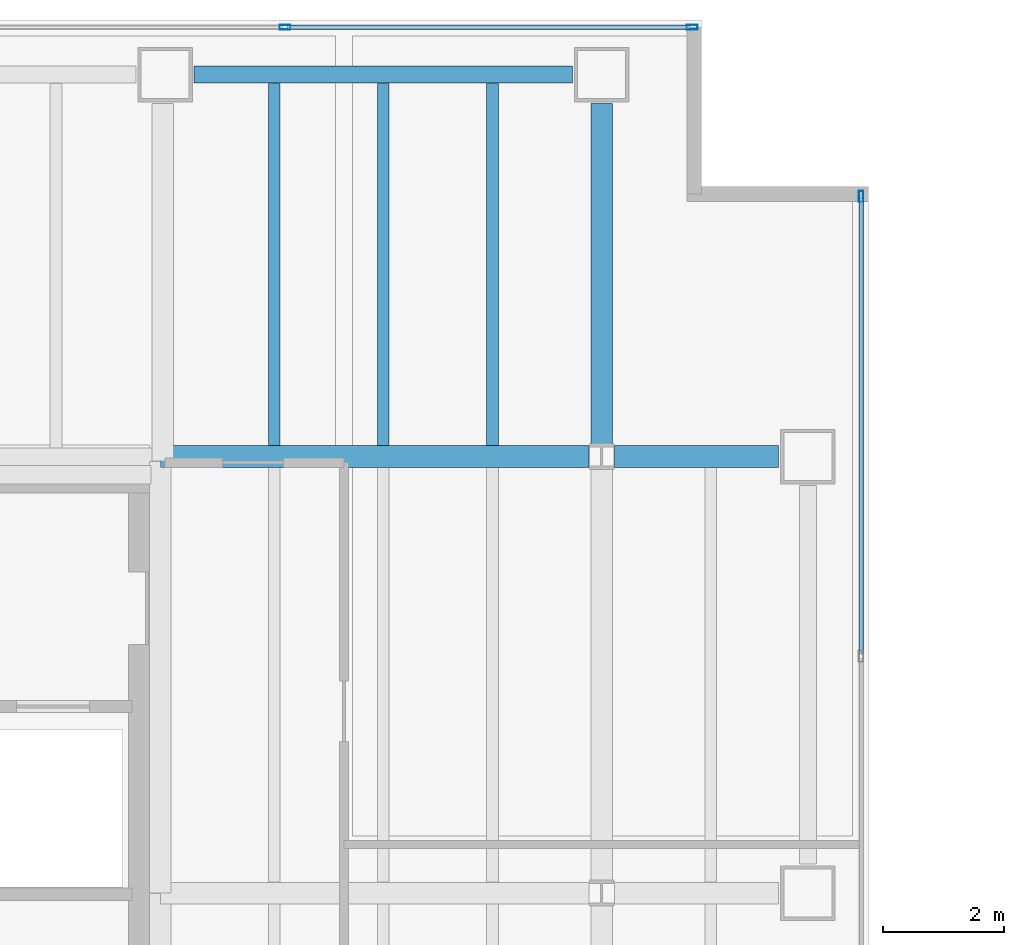
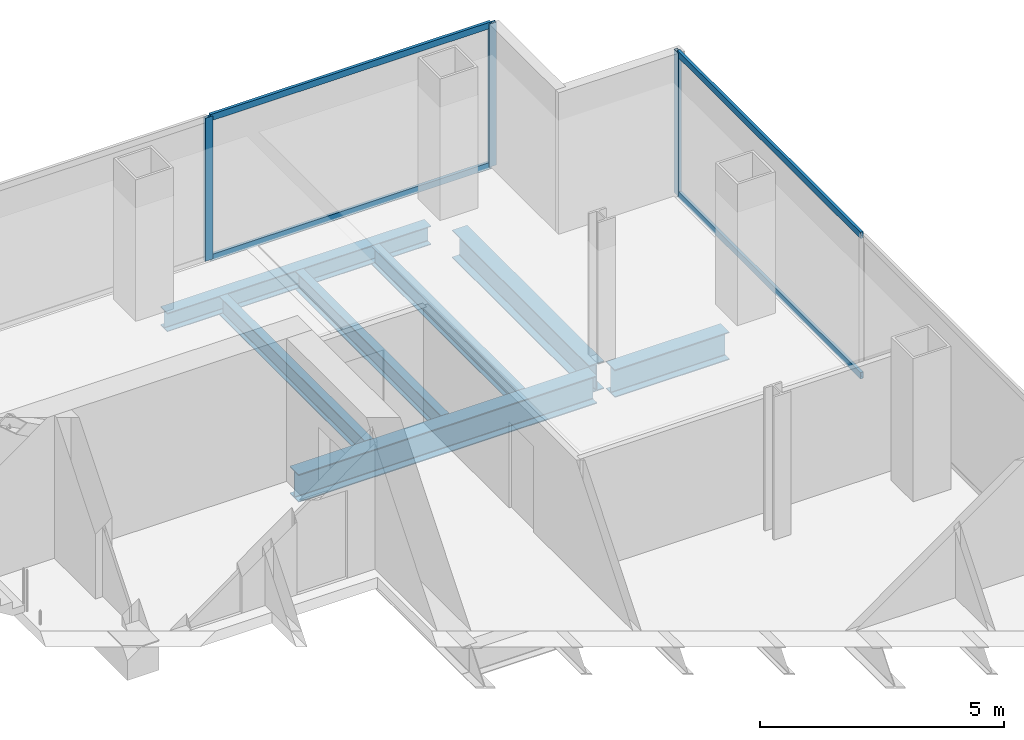
# One storey, part 18 of 23: 7 beams, 7 members, 2 elements without a shape of their own.
"""IFC4 building model written with IfcOpenShell, lengths in metres."""

from ifc_helpers import new_model, si_unit, direction, frame, origin, origin_2d, place, context, subcontext, project, spatial, hollow_rectangle, i_section, extrude, material, material_profile, profile_set, type_object, element, aggregate, save


model = new_model("IFC4")

# Units and contexts
model_context = context("Model", 3, precision=1e-05, world=origin(), true_north=direction((0.0, 1.0)))
body_context = subcontext(model_context, "Body", "Model", "MODEL_VIEW")
ifc_project = project(units=[si_unit("LENGTHUNIT", "METRE"), si_unit("AREAUNIT", "SQUARE_METRE"), si_unit("VOLUMEUNIT", "CUBIC_METRE"), si_unit("PLANEANGLEUNIT", "RADIAN"), si_unit("MASSUNIT", "GRAM", prefix="KILO")], contexts=[model_context])

# Site, building, storey
site_placement = place(None, origin())
site = spatial("IfcSite", under=ifc_project, at=site_placement, CompositionType="ELEMENT")
building_placement = place(site_placement, origin())
building = spatial("IfcBuilding", under=site, at=building_placement, Name="Cobrela Telecom Tower", CompositionType="ELEMENT")
storey_placement = place(building_placement, frame((0.0, 0.0, 117.60009765625)))
storey = spatial("IfcBuildingStorey", under=building, at=storey_placement, Name="L29", CompositionType="ELEMENT", Elevation=117.60009765625)

# Beams
ifc_material_1 = material(Name="Steel ASTM A992 Grade 50", Category="steel")
ifc_material_profile_1 = material_profile(ifc_material_1, i_section(OverallWidth=0.35595703125, OverallDepth=0.696044921875, WebThickness=0.015380859375, FlangeThickness=0.024658203125, FilletRadius=0.01806640625, at=origin_2d()), Name="W27X146")
ifc_profile_set_1 = profile_set([ifc_material_profile_1], Name="Steel ASTM A992 Grade 50")
beam_type_1 = type_object("IfcBeamType", Name="BM-GIRD-05", PredefinedType="USERDEFINED", material=ifc_profile_set_1)
beam_1_placement = place(storey_placement, frame((14.324951171875, 36.0, -0.6181640625), z_axis=(1.0, 0.0, 0.0), x_axis=(0.0, 1.0, 0.0)))
element("IfcBeam", 1, at=beam_1_placement, inside=storey, type_object=beam_type_1, Name="L29 Primary Girder X27", ObjectType="GIRDER", PredefinedType="USERDEFINED", context=body_context, shape_type="SweptSolid", body=[
    extrude(i_section(OverallWidth=0.35595703125, OverallDepth=0.696044921875, WebThickness=0.015380859375, FlangeThickness=0.024658203125, FilletRadius=0.01806640625, at=origin_2d()), origin(), (0.0, 0.0, 1.0), 7.0654296875),
])
beam_2_placement = place(storey_placement, frame((21.8095703125, 36.0, -0.6181640625), z_axis=(1.0, 0.0, 0.0), x_axis=(0.0, 1.0, 0.0)))
element("IfcBeam", 2, at=beam_2_placement, inside=storey, type_object=beam_type_1, Name="L29 Primary Girder X28", ObjectType="GIRDER", PredefinedType="USERDEFINED", context=body_context, shape_type="SweptSolid", body=[
    extrude(i_section(OverallWidth=0.35595703125, OverallDepth=0.696044921875, WebThickness=0.015380859375, FlangeThickness=0.024658203125, FilletRadius=0.01806640625, at=origin_2d()), origin(), (0.0, 0.0, 1.0), 2.71044921875),
])
beam_3_placement = place(storey_placement, frame((21.60009765625, 36.20947265625, -0.6181640625), z_axis=(0.0, 1.0, 0.0), x_axis=(-1.0, 0.0, 0.0)))
element("IfcBeam", 3, at=beam_3_placement, inside=storey, type_object=beam_type_1, Name="L29 Primary Girder Y44", ObjectType="GIRDER", PredefinedType="USERDEFINED", context=body_context, shape_type="SweptSolid", body=[
    extrude(i_section(OverallWidth=0.35595703125, OverallDepth=0.696044921875, WebThickness=0.015380859375, FlangeThickness=0.024658203125, FilletRadius=0.01806640625, at=origin_2d()), origin(), (0.0, 0.0, 1.0), 5.610595703125),
])
ifc_material_profile_2 = material_profile(ifc_material_1, i_section(OverallWidth=0.193115234375, OverallDepth=0.467041015625, WebThickness=0.011474609375, FlangeThickness=0.01904296875, FilletRadius=0.012939453125, at=origin_2d()), Name="W18X65")
ifc_profile_set_2 = profile_set([ifc_material_profile_2], Name="Steel ASTM A992 Grade 50")
beam_type_2 = type_object("IfcBeamType", Name="BM-JOIST-03", PredefinedType="JOIST", material=ifc_profile_set_2)
for number, where, z_axis, x_axis, name in (
    (4, (16.199951171875, 36.18310546875, -0.503662109375), (0.0, 1.0, 0.0), (-1.0, 0.0, 0.0), "L29 Secondary Composite Floor Beam J08"),
    (5, (18.0, 36.18310546875, -0.503662109375), (0.0, 1.0, 0.0), (-1.0, 0.0, 0.0), "L29 Secondary Composite Floor Beam J13"),
    (6, (19.800048828125, 36.18310546875, -0.503662109375), (0.0, 1.0, 0.0), (-1.0, 0.0, 0.0), "L29 Secondary Composite Floor Beam J18"),
):
    element("IfcBeam", number, at=place(storey_placement, frame(where, z_axis=z_axis, x_axis=x_axis)), inside=storey, type_object=beam_type_2, Name=name, PredefinedType="JOIST", context=body_context, shape_type="SweptSolid", body=[
        extrude(i_section(OverallWidth=0.193115234375, OverallDepth=0.467041015625, WebThickness=0.011474609375, FlangeThickness=0.01904296875, FilletRadius=0.012939453125, at=origin_2d()), origin(), (0.0, 0.0, 1.0), 5.970947265625),
    ])
ifc_material_profile_3 = material_profile(ifc_material_1, i_section(OverallWidth=0.281982421875, OverallDepth=0.467041015625, WebThickness=0.01220703125, FlangeThickness=0.01953125, FilletRadius=0.012939453125, at=origin_2d()), Name="W18X86")
ifc_profile_set_3 = profile_set([ifc_material_profile_3], Name="Steel ASTM A992 Grade 50")
beam_type_3 = type_object("IfcBeamType", Name="BM-SPAND-04", PredefinedType="SPANDREL", material=ifc_profile_set_3)
beam_4_placement = place(storey_placement, frame((14.8798828125, 42.300048828125, -0.503662109375), z_axis=(1.0, 0.0, 0.0), x_axis=(0.0, 1.0, 0.0)))
element("IfcBeam", 7, at=beam_4_placement, inside=storey, type_object=beam_type_3, Name="L29 Perimeter Spandrel X30", PredefinedType="SPANDREL", context=body_context, shape_type="SweptSolid", body=[
    extrude(i_section(OverallWidth=0.281982421875, OverallDepth=0.467041015625, WebThickness=0.01220703125, FlangeThickness=0.01953125, FilletRadius=0.012939453125, at=origin_2d()), origin(), (0.0, 0.0, 1.0), 6.240234375),
])

# Curtain wall, members
ifc_material_2 = material(Name="Anodized Bronze Aluminium 6063-T6", Category="aluminium")
curtain_wall_type = type_object("IfcCurtainWallType", Name="CW-SYS-TEL", PredefinedType="USERDEFINED", material=ifc_material_2)
curtain_wall_1_placement = place(storey_placement, origin())
curtain_wall_1 = element("IfcCurtainWall", 8, at=curtain_wall_1_placement, inside=storey, type_object=curtain_wall_type, Name="L29 Unitised Bronze Curtain Wall 07", ObjectType="UNITISED CURTAIN WALL", PredefinedType="USERDEFINED")
ifc_material_profile_4 = material_profile(ifc_material_2, hollow_rectangle(XDim=0.074951171875, YDim=0.179931640625, WallThickness=0.00390625, at=origin_2d()), Name="ALU 75x180x4")
ifc_profile_set_4 = profile_set([ifc_material_profile_4], Name="Anodized Bronze Aluminium 6063-T6")
member_type_1 = type_object("IfcMemberType", Name="CW-SYS-TEL-MUL", PredefinedType="MULLION", material=ifc_profile_set_4)
member_1_placement = place(storey_placement, frame((16.376708984375, 43.080078125, 0.0), z_axis=(0.0, 0.0, 1.0), x_axis=(0.0, 1.0, 0.0)))
member_1 = element("IfcMember", 9, at=member_1_placement, type_object=member_type_1, Name="CW-TEL mullion 3", PredefinedType="MULLION", context=body_context, shape_type="SweptSolid", body=[
    extrude(hollow_rectangle(XDim=0.074951171875, YDim=0.179931640625, WallThickness=0.00390625, at=origin_2d()), origin(), (0.0, 0.0, 1.0), 3.579833984375),
])
member_2_placement = place(storey_placement, frame((23.092529296875, 43.080078125, 0.0), z_axis=(0.0, 0.0, 1.0), x_axis=(0.0, 1.0, 0.0)))
member_2 = element("IfcMember", 10, at=member_2_placement, type_object=member_type_1, Name="CW-TEL mullion 4", PredefinedType="MULLION", context=body_context, shape_type="SweptSolid", body=[
    extrude(hollow_rectangle(XDim=0.074951171875, YDim=0.179931640625, WallThickness=0.00390625, at=origin_2d()), origin(), (0.0, 0.0, 1.0), 3.579833984375),
])

# Curtain wall, member
curtain_wall_2_placement = place(storey_placement, origin())
curtain_wall_2 = element("IfcCurtainWall", 11, at=curtain_wall_2_placement, inside=storey, type_object=curtain_wall_type, Name="L29 Unitised Bronze Curtain Wall 10", ObjectType="UNITISED CURTAIN WALL", PredefinedType="USERDEFINED")
member_3_placement = place(storey_placement, frame((25.8798828125, 40.29248046875, 0.0), z_axis=(0.0, 0.0, 1.0), x_axis=(1.0, 0.0, 0.0)))
member_3 = element("IfcMember", 12, at=member_3_placement, type_object=member_type_1, Name="CW-TEL mullion 1", PredefinedType="MULLION", context=body_context, shape_type="SweptSolid", body=[
    extrude(hollow_rectangle(XDim=0.074951171875, YDim=0.179931640625, WallThickness=0.00390625, at=origin_2d()), origin(), (0.0, 0.0, 1.0), 3.579833984375),
])

# Member
ifc_material_profile_5 = material_profile(ifc_material_2, hollow_rectangle(XDim=0.070068359375, YDim=0.159912109375, WallThickness=0.00390625, at=origin_2d()), Name="ALU 70x160x4")
ifc_profile_set_5 = profile_set([ifc_material_profile_5], Name="Anodized Bronze Aluminium 6063-T6")
member_type_2 = type_object("IfcMemberType", Name="CW-SYS-TEL-TRN", PredefinedType="USERDEFINED", material=ifc_profile_set_5)
member_4_placement = place(storey_placement, frame((16.4140625, 43.080078125, 0.034912109375), z_axis=(1.0, 0.0, 0.0), x_axis=(0.0, 1.0, 0.0)))
member_4 = element("IfcMember", 13, at=member_4_placement, type_object=member_type_2, Name="CW-TEL transom 3.1", ObjectType="TRANSOM", PredefinedType="USERDEFINED", context=body_context, shape_type="SweptSolid", body=[
    extrude(hollow_rectangle(XDim=0.070068359375, YDim=0.159912109375, WallThickness=0.00390625, at=origin_2d()), origin(), (0.0, 0.0, 1.0), 6.640869140625),
])

member_5_placement = place(storey_placement, frame((16.4140625, 43.080078125, 3.544921875), z_axis=(1.0, 0.0, 0.0), x_axis=(0.0, 1.0, 0.0)))
member_5 = element("IfcMember", 14, at=member_5_placement, type_object=member_type_2, Name="CW-TEL transom 3.2", ObjectType="TRANSOM", PredefinedType="USERDEFINED", context=body_context, shape_type="SweptSolid", body=[
    extrude(hollow_rectangle(XDim=0.070068359375, YDim=0.159912109375, WallThickness=0.00390625, at=origin_2d()), origin(), (0.0, 0.0, 1.0), 6.640869140625),
])

aggregate(curtain_wall_1, [member_1, member_2, member_4, member_5])

member_6_placement = place(storey_placement, frame((25.8798828125, 40.2548828125, 0.034912109375), z_axis=(0.0, -1.0, 0.0), x_axis=(1.0, 0.0, 0.0)))
member_6 = element("IfcMember", 15, at=member_6_placement, type_object=member_type_2, Name="CW-TEL transom 1.1", ObjectType="TRANSOM", PredefinedType="USERDEFINED", context=body_context, shape_type="SweptSolid", body=[
    extrude(hollow_rectangle(XDim=0.070068359375, YDim=0.159912109375, WallThickness=0.00390625, at=origin_2d()), origin(), (0.0, 0.0, 1.0), 7.512451171875),
])

member_7_placement = place(storey_placement, frame((25.8798828125, 40.2548828125, 3.544921875), z_axis=(0.0, -1.0, 0.0), x_axis=(1.0, 0.0, 0.0)))
member_7 = element("IfcMember", 16, at=member_7_placement, type_object=member_type_2, Name="CW-TEL transom 1.2", ObjectType="TRANSOM", PredefinedType="USERDEFINED", context=body_context, shape_type="SweptSolid", body=[
    extrude(hollow_rectangle(XDim=0.070068359375, YDim=0.159912109375, WallThickness=0.00390625, at=origin_2d()), origin(), (0.0, 0.0, 1.0), 7.512451171875),
])

aggregate(curtain_wall_2, [member_3, member_6, member_7])

save(model, "model.ifc")
